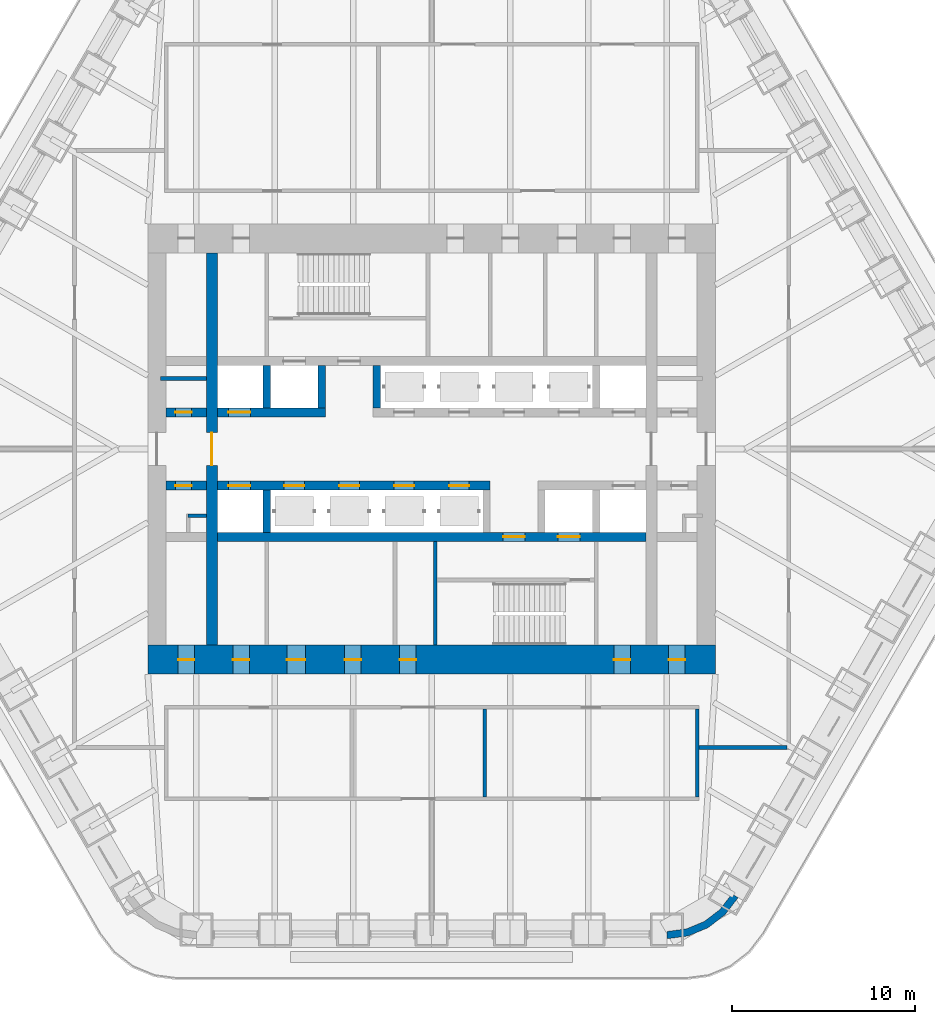
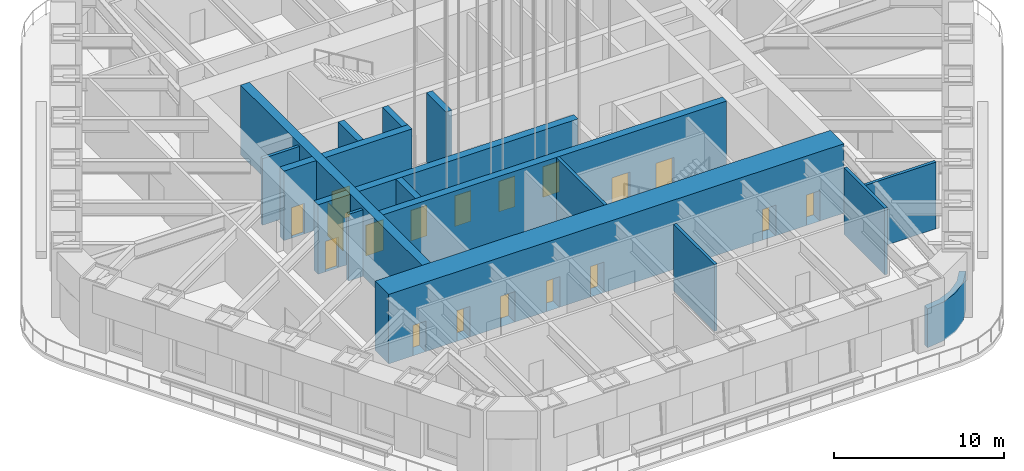
# One storey, part 8 of 14: 18 doors, 18 walls, 18 openings.
"""IFC4 building model written with IfcOpenShell, lengths in metres."""

from ifc_helpers import new_model, si_unit, direction, frame, frame_2d, origin, place, context, subcontext, project, spatial, polyline, rectangle, outline, extrude, material, layer, layer_set, type_object, element, fill, save


model = new_model("IFC4")

# Units and contexts
model_context = context("Model", 3, precision=1e-05, world=origin(), true_north=direction((0.0, 1.0)))
body_context = subcontext(model_context, "Body", "Model", "MODEL_VIEW")
ifc_project = project(units=[si_unit("LENGTHUNIT", "METRE"), si_unit("AREAUNIT", "SQUARE_METRE"), si_unit("VOLUMEUNIT", "CUBIC_METRE"), si_unit("PLANEANGLEUNIT", "RADIAN"), si_unit("MASSUNIT", "GRAM", prefix="KILO")], contexts=[model_context])

# Site, building, storey
site_placement = place(None, origin())
site = spatial("IfcSite", under=ifc_project, at=site_placement, CompositionType="ELEMENT")
building_placement = place(site_placement, origin())
building = spatial("IfcBuilding", under=site, at=building_placement, Name="Tarfa Lantern Tower", CompositionType="ELEMENT")
storey_placement = place(building_placement, frame((0.0, 0.0, 306.5)))
storey = spatial("IfcBuildingStorey", under=building, at=storey_placement, Name="L69", CompositionType="ELEMENT", Elevation=306.5)

# Walls
ifc_material_1 = material(Name="Limestone cladding on blockwork", Category="masonry")
ifc_layer_1 = layer(ifc_material_1, 0.39990234375)
ifc_layer_set_1 = layer_set([ifc_layer_1], Name="EW2 CURVED STONE CORNER 400")
wall_type_1 = type_object("IfcWallType", Name="EW2 CURVED STONE CORNER 400", PredefinedType="SOLIDWALL", material=ifc_layer_set_1)
wall_1_placement = place(storey_placement, origin())
element("IfcWall", 1, at=wall_1_placement, inside=storey, type_object=wall_type_1, Name="Stone corner S-SE", PredefinedType="SOLIDWALL", context=body_context, shape_type="SweptSolid", body=[
    extrude(outline(polyline([(12.845947265625, -26.75), (14.0107421875, -26.5966796875), (15.095947265625, -26.147216796875), (16.028076171875, -25.431884765625), (16.7431640625, -24.5), (16.396728515625, -24.300048828125), (15.7451171875, -25.149169921875), (14.89599609375, -25.80078125), (13.9072265625, -26.210205078125), (12.845947265625, -26.35009765625), (12.845947265625, -26.75)])), origin(), (0.0, 0.0, 1.0), 2.800048828125),
])
ifc_material_2 = material(Name="Concrete blockwork", Category="masonry")
ifc_layer_2 = layer(ifc_material_2, 0.199951171875)
ifc_layer_set_2 = layer_set([ifc_layer_2], Name="IW1 BLOCKWORK PARTITION 200 EI 120")
wall_type_2 = type_object("IfcWallType", Name="IW1 BLOCKWORK PARTITION 200 EI 120", PredefinedType="PARTITIONING", material=ifc_layer_set_2)
wall_2_placement = place(storey_placement, frame((-14.800048828125, 3.85009765625, 0.0), z_axis=(0.0, 0.0, 1.0), x_axis=(1.0, 0.0, 0.0)))
element("IfcWall", 2, at=wall_2_placement, inside=storey, type_object=wall_type_2, Name="Core partition", PredefinedType="PARTITIONING", context=body_context, shape_type="SweptSolid", body=[
    extrude(rectangle(XDim=2.5, YDim=0.199951171875, at=frame_2d((1.25, 0.0))), origin(), (0.0, 0.0, 1.0), 4.800048828125),
])
wall_3_placement = place(storey_placement, frame((-12.300048828125, -3.64990234375, 0.0), z_axis=(0.0, 0.0, 1.0), x_axis=(-1.0, 0.0, 0.0)))
element("IfcWall", 3, at=wall_3_placement, inside=storey, type_object=wall_type_2, Name="Core partition", PredefinedType="PARTITIONING", context=body_context, shape_type="SweptSolid", body=[
    extrude(rectangle(XDim=1.0, YDim=0.199951171875, at=frame_2d((0.5, 0.0))), origin(), (0.0, 0.0, 1.0), 4.800048828125),
])
ifc_material_3 = material(Name="Gypsum board on steel studs", Category="steel")
ifc_layer_3 = layer(ifc_material_3, 0.2099609375)
ifc_layer_set_3 = layer_set([ifc_layer_3], Name="IW2 ACOUSTIC PARTITION 200")
wall_type_3 = type_object("IfcWallType", Name="IW2 ACOUSTIC PARTITION 200", PredefinedType="PARTITIONING", material=ifc_layer_set_3)
for number, where, z_axis, x_axis, name in (
    (4, (14.5, -14.199951171875, 0.0), (0.0, 0.0, 1.0), (0.0, -1.0, 0.0), "Partition"),
    (5, (2.89990234375, -14.199951171875, 0.0), (0.0, 0.0, 1.0), (0.0, -1.0, 0.0), "Partition"),
):
    element("IfcWall", number, at=place(storey_placement, frame(where, z_axis=z_axis, x_axis=x_axis)), inside=storey, type_object=wall_type_3, Name=name, PredefinedType="PARTITIONING", context=body_context, shape_type="SweptSolid", body=[
        extrude(rectangle(XDim=4.800048828125, YDim=0.199951171875, at=frame_2d((2.39990234375, 0.0))), origin(), (0.0, 0.0, 1.0), 4.800048828125),
    ])
wall_4_placement = place(storey_placement, frame((14.60009765625, -16.300048828125, 0.0), z_axis=(0.0, 0.0, 1.0), x_axis=(1.0, 0.0, 0.0)))
element("IfcWall", 6, at=wall_4_placement, inside=storey, type_object=wall_type_3, Name="Partition", PredefinedType="PARTITIONING", context=body_context, shape_type="SweptSolid", body=[
    extrude(rectangle(XDim=4.7998046875, YDim=0.199951171875, at=frame_2d((2.39990234375, 0.0))), origin(), (0.0, 0.0, 1.0), 4.800048828125),
])
ifc_material_4 = material(Name="Concrete C80/95", Category="concrete")
ifc_layer_4 = layer(ifc_material_4, 0.199951171875)
ifc_layer_set_4 = layer_set([ifc_layer_4], Name="SW12 CORE WALL 200")
wall_type_4 = type_object("IfcWallType", Name="SW12 CORE WALL 200", PredefinedType="SHEAR", material=ifc_layer_set_4)
wall_5_placement = place(storey_placement, frame((0.199951171875, -5.050048828125, 0.0), z_axis=(0.0, 0.0, 1.0), x_axis=(0.0, -1.0, 0.0)))
element("IfcWall", 7, at=wall_5_placement, inside=storey, type_object=wall_type_4, Name="Core wall stair shaft S", PredefinedType="SHEAR", context=body_context, shape_type="SweptSolid", body=[
    extrude(rectangle(XDim=5.64990234375, YDim=0.199951171875, at=frame_2d((2.824951171875, 0.0))), origin(), (0.0, 0.0, 1.0), 5.0),
])

# Wall, opening, door
ifc_layer_5 = layer(ifc_material_4, 0.5)
ifc_layer_set_5 = layer_set([ifc_layer_5], Name="SW5 CORE WALL 500")
wall_type_5 = type_object("IfcWallType", Name="SW5 CORE WALL 500", PredefinedType="SHEAR", material=ifc_layer_set_5)
wall_6_placement = place(storey_placement, frame((-14.5, 2.0, 0.0), z_axis=(0.0, 0.0, 1.0), x_axis=(1.0, 0.0, 0.0)))
wall_6 = element("IfcWall", 8, at=wall_6_placement, inside=storey, type_object=wall_type_5, Name="Core wall lobby west N", PredefinedType="SHEAR", context=body_context, shape_type="SweptSolid", body=[
    extrude(rectangle(XDim=2.199951171875, YDim=0.5, at=frame_2d((1.10009765625, 0.0))), origin(), (0.0, 0.0, 1.0), 5.0),
])
opening_1_placement = place(wall_6_placement, frame((0.5, 0.0, 0.0)))
opening_1 = element("IfcOpeningElement", 9, at=opening_1_placement, cuts=wall_6, Name="Opening D15", PredefinedType="OPENING", context=body_context, shape_type="SweptSolid", body=[
    extrude(rectangle(XDim=0.89990234375, YDim=2.199951171875, at=frame_2d((0.449951171875, 1.10009765625))), frame((0.0, 0.260009765625, 0.0), z_axis=(0.0, -1.0, 0.0), x_axis=(1.0, 0.0, 0.0)), (0.0, 0.0, 1.0), 0.52001953125),
])
ifc_material_5 = material(Name="Steel fire door", Category="steel")
door_type_1 = type_object("IfcDoorType", Name="DF6 SERVICE ROOM DOOR 900x2200", OperationType="SINGLE_SWING_LEFT", PredefinedType="DOOR", material=ifc_material_5)
door_1_placement = place(opening_1_placement, origin())
door_1 = element("IfcDoor", 10, at=door_1_placement, inside=storey, type_object=door_type_1, Name="Service room door", OperationType="SINGLE_SWING_RIGHT", OverallHeight=2.199951171875, OverallWidth=0.89990234375, PredefinedType="DOOR", context=body_context, shape_type="SweptSolid", body=[
    extrude(rectangle(XDim=0.89990234375, YDim=2.199951171875, at=frame_2d((0.449951171875, 1.10009765625))), frame((0.0, 0.02490234375, 0.0), z_axis=(0.0, -1.0, 0.0), x_axis=(1.0, 0.0, 0.0)), (0.0, 0.0, 1.0), 0.050048828125),
])
fill(opening_1, door_1)

wall_7_placement = place(storey_placement, frame((-11.699951171875, 2.0, 0.0), z_axis=(0.0, 0.0, 1.0), x_axis=(1.0, 0.0, 0.0)))
wall_7 = element("IfcWall", 11, at=wall_7_placement, inside=storey, type_object=wall_type_5, Name="Core wall lobby west N", PredefinedType="SHEAR", context=body_context, shape_type="SweptSolid", body=[
    extrude(rectangle(XDim=5.89990234375, YDim=0.5, at=frame_2d((2.949951171875, 0.0))), origin(), (0.0, 0.0, 1.0), 5.0),
])
opening_2_placement = place(wall_7_placement, frame((0.60009765625, 0.0, 0.0)))
opening_2 = element("IfcOpeningElement", 12, at=opening_2_placement, cuts=wall_7, Name="Opening LD14", PredefinedType="OPENING", context=body_context, shape_type="SweptSolid", body=[
    extrude(rectangle(XDim=1.199951171875, YDim=2.199951171875, at=frame_2d((0.60009765625, 1.10009765625))), frame((0.0, 0.260009765625, 0.0), z_axis=(0.0, -1.0, 0.0), x_axis=(1.0, 0.0, 0.0)), (0.0, 0.0, 1.0), 0.52001953125),
])
ifc_material_6 = material(Name="Stainless steel lift door", Category="steel")
door_type_2 = type_object("IfcDoorType", Name="LD1 LIFT LANDING DOOR 1200x2200", OperationType="SLIDING_TO_LEFT", PredefinedType="DOOR", material=ifc_material_6)
door_2_placement = place(opening_2_placement, frame((1.199951171875, 0.0, 0.0), z_axis=(0.0, 0.0, 1.0), x_axis=(-1.0, 0.0, 0.0)))
door_2 = element("IfcDoor", 13, at=door_2_placement, inside=storey, type_object=door_type_2, Name="Landing door S9", OperationType="SLIDING_TO_LEFT", OverallHeight=2.199951171875, OverallWidth=1.199951171875, PredefinedType="DOOR", context=body_context, shape_type="SweptSolid", body=[
    extrude(rectangle(XDim=1.199951171875, YDim=2.199951171875, at=frame_2d((0.60009765625, 1.10009765625))), frame((0.0, 0.02490234375, 0.0), z_axis=(0.0, -1.0, 0.0), x_axis=(1.0, 0.0, 0.0)), (0.0, 0.0, 1.0), 0.050048828125),
])
fill(opening_2, door_2)

# Wall, openings, doors
wall_8_placement = place(storey_placement, frame((3.199951171875, -2.0, 0.0), z_axis=(0.0, 0.0, 1.0), x_axis=(-1.0, 0.0, 0.0)))
wall_8 = element("IfcWall", 14, at=wall_8_placement, inside=storey, type_object=wall_type_5, Name="Core wall lobby east S", PredefinedType="SHEAR", context=body_context, shape_type="SweptSolid", body=[
    extrude(rectangle(XDim=14.89990234375, YDim=0.5, at=frame_2d((7.449951171875, 0.0))), origin(), (0.0, 0.0, 1.0), 5.0),
])
opening_3_placement = place(wall_8_placement, frame((1.14990234375, 0.0, 0.0)))
opening_3 = element("IfcOpeningElement", 15, at=opening_3_placement, cuts=wall_8, Name="Opening LD07", PredefinedType="OPENING", context=body_context, shape_type="SweptSolid", body=[
    extrude(rectangle(XDim=1.10009765625, YDim=2.199951171875, at=frame_2d((0.550048828125, 1.10009765625))), frame((0.0, 0.260009765625, 0.0), z_axis=(0.0, -1.0, 0.0), x_axis=(1.0, 0.0, 0.0)), (0.0, 0.0, 1.0), 0.52001953125),
])
opening_4_placement = place(wall_8_placement, frame((4.14990234375, 0.0, 0.0)))
opening_4 = element("IfcOpeningElement", 16, at=opening_4_placement, cuts=wall_8, Name="Opening LD08", PredefinedType="OPENING", context=body_context, shape_type="SweptSolid", body=[
    extrude(rectangle(XDim=1.10009765625, YDim=2.199951171875, at=frame_2d((0.550048828125, 1.10009765625))), frame((0.0, 0.260009765625, 0.0), z_axis=(0.0, -1.0, 0.0), x_axis=(1.0, 0.0, 0.0)), (0.0, 0.0, 1.0), 0.52001953125),
])
opening_5_placement = place(wall_8_placement, frame((7.14990234375, 0.0, 0.0)))
opening_5 = element("IfcOpeningElement", 17, at=opening_5_placement, cuts=wall_8, Name="Opening LD09", PredefinedType="OPENING", context=body_context, shape_type="SweptSolid", body=[
    extrude(rectangle(XDim=1.10009765625, YDim=2.199951171875, at=frame_2d((0.550048828125, 1.10009765625))), frame((0.0, 0.260009765625, 0.0), z_axis=(0.0, -1.0, 0.0), x_axis=(1.0, 0.0, 0.0)), (0.0, 0.0, 1.0), 0.52001953125),
])
opening_6_placement = place(wall_8_placement, frame((10.14990234375, 0.0, 0.0)))
opening_6 = element("IfcOpeningElement", 18, at=opening_6_placement, cuts=wall_8, Name="Opening LD10", PredefinedType="OPENING", context=body_context, shape_type="SweptSolid", body=[
    extrude(rectangle(XDim=1.10009765625, YDim=2.199951171875, at=frame_2d((0.550048828125, 1.10009765625))), frame((0.0, 0.260009765625, 0.0), z_axis=(0.0, -1.0, 0.0), x_axis=(1.0, 0.0, 0.0)), (0.0, 0.0, 1.0), 0.52001953125),
])
opening_7_placement = place(wall_8_placement, frame((13.10009765625, 0.0, 0.0)))
opening_7 = element("IfcOpeningElement", 19, at=opening_7_placement, cuts=wall_8, Name="Opening LD13", PredefinedType="OPENING", context=body_context, shape_type="SweptSolid", body=[
    extrude(rectangle(XDim=1.199951171875, YDim=2.199951171875, at=frame_2d((0.60009765625, 1.10009765625))), frame((0.0, 0.260009765625, 0.0), z_axis=(0.0, -1.0, 0.0), x_axis=(1.0, 0.0, 0.0)), (0.0, 0.0, 1.0), 0.52001953125),
])
door_3_placement = place(opening_7_placement, frame((1.199951171875, 0.0, 0.0), z_axis=(0.0, 0.0, 1.0), x_axis=(-1.0, 0.0, 0.0)))
door_3 = element("IfcDoor", 20, at=door_3_placement, inside=storey, type_object=door_type_2, Name="Landing door S12", OperationType="SLIDING_TO_LEFT", OverallHeight=2.199951171875, OverallWidth=1.199951171875, PredefinedType="DOOR", context=body_context, shape_type="SweptSolid", body=[
    extrude(rectangle(XDim=1.199951171875, YDim=2.199951171875, at=frame_2d((0.60009765625, 1.10009765625))), frame((0.0, 0.02490234375, 0.0), z_axis=(0.0, -1.0, 0.0), x_axis=(1.0, 0.0, 0.0)), (0.0, 0.0, 1.0), 0.050048828125),
])
fill(opening_7, door_3)
door_type_3 = type_object("IfcDoorType", Name="LD2 LIFT LANDING DOOR 1100x2200", OperationType="SLIDING_TO_LEFT", PredefinedType="DOOR", material=ifc_material_6)
door_4_placement = place(opening_3_placement, frame((1.10009765625, 0.0, 0.0), z_axis=(0.0, 0.0, 1.0), x_axis=(-1.0, 0.0, 0.0)))
door_4 = element("IfcDoor", 21, at=door_4_placement, inside=storey, type_object=door_type_3, Name="Landing door PD5", OperationType="SLIDING_TO_LEFT", OverallHeight=2.199951171875, OverallWidth=1.10009765625, PredefinedType="DOOR", context=body_context, shape_type="SweptSolid", body=[
    extrude(rectangle(XDim=1.10009765625, YDim=2.199951171875, at=frame_2d((0.550048828125, 1.10009765625))), frame((0.0, 0.02490234375, 0.0), z_axis=(0.0, -1.0, 0.0), x_axis=(1.0, 0.0, 0.0)), (0.0, 0.0, 1.0), 0.050048828125),
])
fill(opening_3, door_4)
door_5_placement = place(opening_4_placement, frame((1.10009765625, 0.0, 0.0), z_axis=(0.0, 0.0, 1.0), x_axis=(-1.0, 0.0, 0.0)))
door_5 = element("IfcDoor", 22, at=door_5_placement, inside=storey, type_object=door_type_3, Name="Landing door PD6", OperationType="SLIDING_TO_LEFT", OverallHeight=2.199951171875, OverallWidth=1.10009765625, PredefinedType="DOOR", context=body_context, shape_type="SweptSolid", body=[
    extrude(rectangle(XDim=1.10009765625, YDim=2.199951171875, at=frame_2d((0.550048828125, 1.10009765625))), frame((0.0, 0.02490234375, 0.0), z_axis=(0.0, -1.0, 0.0), x_axis=(1.0, 0.0, 0.0)), (0.0, 0.0, 1.0), 0.050048828125),
])
fill(opening_4, door_5)
door_6_placement = place(opening_5_placement, frame((1.10009765625, 0.0, 0.0), z_axis=(0.0, 0.0, 1.0), x_axis=(-1.0, 0.0, 0.0)))
door_6 = element("IfcDoor", 23, at=door_6_placement, inside=storey, type_object=door_type_3, Name="Landing door PD7", OperationType="SLIDING_TO_LEFT", OverallHeight=2.199951171875, OverallWidth=1.10009765625, PredefinedType="DOOR", context=body_context, shape_type="SweptSolid", body=[
    extrude(rectangle(XDim=1.10009765625, YDim=2.199951171875, at=frame_2d((0.550048828125, 1.10009765625))), frame((0.0, 0.02490234375, 0.0), z_axis=(0.0, -1.0, 0.0), x_axis=(1.0, 0.0, 0.0)), (0.0, 0.0, 1.0), 0.050048828125),
])
fill(opening_5, door_6)
door_7_placement = place(opening_6_placement, frame((1.10009765625, 0.0, 0.0), z_axis=(0.0, 0.0, 1.0), x_axis=(-1.0, 0.0, 0.0)))
door_7 = element("IfcDoor", 24, at=door_7_placement, inside=storey, type_object=door_type_3, Name="Landing door PD8", OperationType="SLIDING_TO_LEFT", OverallHeight=2.199951171875, OverallWidth=1.10009765625, PredefinedType="DOOR", context=body_context, shape_type="SweptSolid", body=[
    extrude(rectangle(XDim=1.10009765625, YDim=2.199951171875, at=frame_2d((0.550048828125, 1.10009765625))), frame((0.0, 0.02490234375, 0.0), z_axis=(0.0, -1.0, 0.0), x_axis=(1.0, 0.0, 0.0)), (0.0, 0.0, 1.0), 0.050048828125),
])
fill(opening_6, door_7)

# Wall, opening, door
wall_9_placement = place(storey_placement, frame((-12.300048828125, -2.0, 0.0), z_axis=(0.0, 0.0, 1.0), x_axis=(-1.0, 0.0, 0.0)))
wall_9 = element("IfcWall", 25, at=wall_9_placement, inside=storey, type_object=wall_type_5, Name="Core wall lobby east S", PredefinedType="SHEAR", context=body_context, shape_type="SweptSolid", body=[
    extrude(rectangle(XDim=2.199951171875, YDim=0.5, at=frame_2d((1.10009765625, 0.0))), origin(), (0.0, 0.0, 1.0), 5.0),
])
opening_8_placement = place(wall_9_placement, frame((0.800048828125, 0.0, 0.0)))
opening_8 = element("IfcOpeningElement", 26, at=opening_8_placement, cuts=wall_9, Name="Opening D14", PredefinedType="OPENING", context=body_context, shape_type="SweptSolid", body=[
    extrude(rectangle(XDim=0.89990234375, YDim=2.199951171875, at=frame_2d((0.449951171875, 1.10009765625))), frame((0.0, 0.260009765625, 0.0), z_axis=(0.0, -1.0, 0.0), x_axis=(1.0, 0.0, 0.0)), (0.0, 0.0, 1.0), 0.52001953125),
])
door_8_placement = place(opening_8_placement, origin())
door_8 = element("IfcDoor", 27, at=door_8_placement, inside=storey, type_object=door_type_1, Name="Service room door", OperationType="SINGLE_SWING_LEFT", OverallHeight=2.199951171875, OverallWidth=0.89990234375, PredefinedType="DOOR", context=body_context, shape_type="SweptSolid", body=[
    extrude(rectangle(XDim=0.89990234375, YDim=2.199951171875, at=frame_2d((0.449951171875, 1.10009765625))), frame((0.0, 0.02490234375, 0.0), z_axis=(0.0, -1.0, 0.0), x_axis=(1.0, 0.0, 0.0)), (0.0, 0.0, 1.0), 0.050048828125),
])
fill(opening_8, door_8)

# Wall, openings, doors
wall_10_placement = place(storey_placement, frame((11.699951171875, -4.800048828125, 0.0), z_axis=(0.0, 0.0, 1.0), x_axis=(-1.0, 0.0, 0.0)))
wall_10 = element("IfcWall", 28, at=wall_10_placement, inside=storey, type_object=wall_type_5, Name="Core wall rear S", PredefinedType="SHEAR", context=body_context, shape_type="SweptSolid", body=[
    extrude(rectangle(XDim=23.39990234375, YDim=0.5, at=frame_2d((11.699951171875, 0.0))), origin(), (0.0, 0.0, 1.0), 5.0),
])
opening_9_placement = place(wall_10_placement, frame((6.60009765625, 0.0, 0.0)))
opening_9 = element("IfcOpeningElement", 29, at=opening_9_placement, cuts=wall_10, Name="Opening D10", PredefinedType="OPENING", context=body_context, shape_type="SweptSolid", body=[
    extrude(rectangle(XDim=1.199951171875, YDim=2.199951171875, at=frame_2d((0.60009765625, 1.10009765625))), frame((0.0, 0.260009765625, 0.0), z_axis=(0.0, -1.0, 0.0), x_axis=(1.0, 0.0, 0.0)), (0.0, 0.0, 1.0), 0.52001953125),
])
opening_10_placement = place(wall_10_placement, frame((3.60009765625, 0.0, 0.0)))
opening_10 = element("IfcOpeningElement", 30, at=opening_10_placement, cuts=wall_10, Name="Opening LD02", PredefinedType="OPENING", context=body_context, shape_type="SweptSolid", body=[
    extrude(rectangle(XDim=1.199951171875, YDim=2.199951171875, at=frame_2d((0.60009765625, 1.10009765625))), frame((0.0, 0.260009765625, 0.0), z_axis=(0.0, -1.0, 0.0), x_axis=(1.0, 0.0, 0.0)), (0.0, 0.0, 1.0), 0.52001953125),
])
door_type_4 = type_object("IfcDoorType", Name="DF1 FIREFIGHTING LOBBY DOOR 1200x2200", OperationType="SINGLE_SWING_LEFT", PredefinedType="DOOR", material=ifc_material_5)
door_9_placement = place(opening_9_placement, origin())
door_9 = element("IfcDoor", 31, at=door_9_placement, inside=storey, type_object=door_type_4, Name="Firefighting lobby door", OperationType="SINGLE_SWING_LEFT", OverallHeight=2.199951171875, OverallWidth=1.199951171875, PredefinedType="DOOR", context=body_context, shape_type="SweptSolid", body=[
    extrude(rectangle(XDim=1.199951171875, YDim=2.199951171875, at=frame_2d((0.60009765625, 1.10009765625))), frame((0.0, 0.02490234375, 0.0), z_axis=(0.0, -1.0, 0.0), x_axis=(1.0, 0.0, 0.0)), (0.0, 0.0, 1.0), 0.050048828125),
])
fill(opening_9, door_9)
door_10_placement = place(opening_10_placement, origin())
door_10 = element("IfcDoor", 32, at=door_10_placement, inside=storey, type_object=door_type_2, Name="Landing door FL2", OperationType="SLIDING_TO_LEFT", OverallHeight=2.199951171875, OverallWidth=1.199951171875, PredefinedType="DOOR", context=body_context, shape_type="SweptSolid", body=[
    extrude(rectangle(XDim=1.199951171875, YDim=2.199951171875, at=frame_2d((0.60009765625, 1.10009765625))), frame((0.0, 0.02490234375, 0.0), z_axis=(0.0, -1.0, 0.0), x_axis=(1.0, 0.0, 0.0)), (0.0, 0.0, 1.0), 0.050048828125),
])
fill(opening_10, door_10)

# Walls
ifc_layer_6 = layer(ifc_material_4, 0.39990234375)
ifc_layer_set_6 = layer_set([ifc_layer_6], Name="SW6 CORE WALL 400")
wall_type_6 = type_object("IfcWallType", Name="SW6 CORE WALL 400", PredefinedType="SHEAR", material=ifc_layer_set_6)
for number, where, z_axis, x_axis, name in (
    (33, (-9.0, 2.25, 0.0), (0.0, 0.0, 1.0), (0.0, 1.0, 0.0), "Core wall divider N"),
    (34, (-6.0, 2.25, 0.0), (0.0, 0.0, 1.0), (0.0, 1.0, 0.0), "Core wall divider N"),
    (35, (-3.0, 2.25, 0.0), (0.0, 0.0, 1.0), (0.0, 1.0, 0.0), "Core wall divider N"),
    (36, (-9.0, -2.25, 0.0), (0.0, 0.0, 1.0), (0.0, -1.0, 0.0), "Core wall divider S"),
):
    element("IfcWall", number, at=place(storey_placement, frame(where, z_axis=z_axis, x_axis=x_axis)), inside=storey, type_object=wall_type_6, Name=name, PredefinedType="SHEAR", context=body_context, shape_type="SweptSolid", body=[
        extrude(rectangle(XDim=2.300048828125, YDim=0.39990234375, at=frame_2d((1.14990234375, 0.0))), origin(), (0.0, 0.0, 1.0), 5.0),
    ])

# Wall, openings, doors
ifc_layer_7 = layer(ifc_material_4, 1.60009765625)
ifc_layer_set_7 = layer_set([ifc_layer_7], Name="SW7 CORE WALL 1600")
wall_type_7 = type_object("IfcWallType", Name="SW7 CORE WALL 1600", PredefinedType="SHEAR", material=ifc_layer_set_7)
wall_11_placement = place(storey_placement, frame((15.5, -11.5, 0.0), z_axis=(0.0, 0.0, 1.0), x_axis=(-1.0, 0.0, 0.0)))
wall_11 = element("IfcWall", 37, at=wall_11_placement, inside=storey, type_object=wall_type_7, Name="Core wall S", PredefinedType="SHEAR", context=body_context, shape_type="SweptSolid", body=[
    extrude(rectangle(XDim=31.0, YDim=1.60009765625, at=frame_2d((15.5, 0.0))), origin(), (0.0, 0.0, 1.0), 5.0),
])
opening_11_placement = place(wall_11_placement, frame((16.35009765625, 0.0, 0.0)))
opening_11 = element("IfcOpeningElement", 38, at=opening_11_placement, cuts=wall_11, Name="Opening D18", PredefinedType="OPENING", context=body_context, shape_type="SweptSolid", body=[
    extrude(rectangle(XDim=0.89990234375, YDim=2.199951171875, at=frame_2d((0.449951171875, 1.10009765625))), frame((0.0, 0.81005859375, 0.0), z_axis=(0.0, -1.0, 0.0), x_axis=(1.0, 0.0, 0.0)), (0.0, 0.0, 1.0), 1.6201171875),
])
opening_12_placement = place(wall_11_placement, frame((19.35009765625, 0.0, 0.0)))
opening_12 = element("IfcOpeningElement", 39, at=opening_12_placement, cuts=wall_11, Name="Opening D20", PredefinedType="OPENING", context=body_context, shape_type="SweptSolid", body=[
    extrude(rectangle(XDim=0.89990234375, YDim=2.199951171875, at=frame_2d((0.449951171875, 1.10009765625))), frame((0.0, 0.81005859375, 0.0), z_axis=(0.0, -1.0, 0.0), x_axis=(1.0, 0.0, 0.0)), (0.0, 0.0, 1.0), 1.6201171875),
])
opening_13_placement = place(wall_11_placement, frame((22.39990234375, 0.0, 0.0)))
opening_13 = element("IfcOpeningElement", 40, at=opening_13_placement, cuts=wall_11, Name="Opening D22", PredefinedType="OPENING", context=body_context, shape_type="SweptSolid", body=[
    extrude(rectangle(XDim=1.0, YDim=2.199951171875, at=frame_2d((0.5, 1.10009765625))), frame((0.0, 0.81005859375, 0.0), z_axis=(0.0, -1.0, 0.0), x_axis=(1.0, 0.0, 0.0)), (0.0, 0.0, 1.0), 1.6201171875),
])
opening_14_placement = place(wall_11_placement, frame((1.64990234375, 0.0, 0.0)))
opening_14 = element("IfcOpeningElement", 41, at=opening_14_placement, cuts=wall_11, Name="Opening D08", PredefinedType="OPENING", context=body_context, shape_type="SweptSolid", body=[
    extrude(rectangle(XDim=0.89990234375, YDim=2.199951171875, at=frame_2d((0.449951171875, 1.10009765625))), frame((0.0, 0.81005859375, 0.0), z_axis=(0.0, -1.0, 0.0), x_axis=(1.0, 0.0, 0.0)), (0.0, 0.0, 1.0), 1.6201171875),
])
opening_15_placement = place(wall_11_placement, frame((4.64990234375, 0.0, 0.0)))
opening_15 = element("IfcOpeningElement", 42, at=opening_15_placement, cuts=wall_11, Name="Opening D06", PredefinedType="OPENING", context=body_context, shape_type="SweptSolid", body=[
    extrude(rectangle(XDim=0.89990234375, YDim=2.199951171875, at=frame_2d((0.449951171875, 1.10009765625))), frame((0.0, 0.81005859375, 0.0), z_axis=(0.0, -1.0, 0.0), x_axis=(1.0, 0.0, 0.0)), (0.0, 0.0, 1.0), 1.6201171875),
])
opening_16_placement = place(wall_11_placement, frame((25.449951171875, 0.0, 0.0)))
opening_16 = element("IfcOpeningElement", 43, at=opening_16_placement, cuts=wall_11, Name="Opening D04", PredefinedType="OPENING", context=body_context, shape_type="SweptSolid", body=[
    extrude(rectangle(XDim=0.89990234375, YDim=2.199951171875, at=frame_2d((0.449951171875, 1.10009765625))), frame((0.0, 0.81005859375, 0.0), z_axis=(0.0, -1.0, 0.0), x_axis=(1.0, 0.0, 0.0)), (0.0, 0.0, 1.0), 1.6201171875),
])
opening_17_placement = place(wall_11_placement, frame((28.449951171875, 0.0, 0.0)))
opening_17 = element("IfcOpeningElement", 44, at=opening_17_placement, cuts=wall_11, Name="Opening D02", PredefinedType="OPENING", context=body_context, shape_type="SweptSolid", body=[
    extrude(rectangle(XDim=0.89990234375, YDim=2.199951171875, at=frame_2d((0.449951171875, 1.10009765625))), frame((0.0, 0.81005859375, 0.0), z_axis=(0.0, -1.0, 0.0), x_axis=(1.0, 0.0, 0.0)), (0.0, 0.0, 1.0), 1.6201171875),
])
door_type_5 = type_object("IfcDoorType", Name="DF3 CORE ROOM DOOR 900x2200", OperationType="SINGLE_SWING_LEFT", PredefinedType="DOOR", material=ifc_material_5)
door_11_placement = place(opening_11_placement, frame((0.89990234375, 0.0, 0.0), z_axis=(0.0, 0.0, 1.0), x_axis=(-1.0, 0.0, 0.0)))
door_11 = element("IfcDoor", 45, at=door_11_placement, inside=storey, type_object=door_type_5, Name="Core door", OperationType="SINGLE_SWING_RIGHT", OverallHeight=2.199951171875, OverallWidth=0.89990234375, PredefinedType="DOOR", context=body_context, shape_type="SweptSolid", body=[
    extrude(rectangle(XDim=0.89990234375, YDim=2.199951171875, at=frame_2d((0.449951171875, 1.10009765625))), frame((0.0, 0.02490234375, 0.0), z_axis=(0.0, -1.0, 0.0), x_axis=(1.0, 0.0, 0.0)), (0.0, 0.0, 1.0), 0.050048828125),
])
fill(opening_11, door_11)
door_12_placement = place(opening_12_placement, frame((0.89990234375, 0.0, 0.0), z_axis=(0.0, 0.0, 1.0), x_axis=(-1.0, 0.0, 0.0)))
door_12 = element("IfcDoor", 46, at=door_12_placement, inside=storey, type_object=door_type_5, Name="Core door", OperationType="SINGLE_SWING_LEFT", OverallHeight=2.199951171875, OverallWidth=0.89990234375, PredefinedType="DOOR", context=body_context, shape_type="SweptSolid", body=[
    extrude(rectangle(XDim=0.89990234375, YDim=2.199951171875, at=frame_2d((0.449951171875, 1.10009765625))), frame((0.0, 0.02490234375, 0.0), z_axis=(0.0, -1.0, 0.0), x_axis=(1.0, 0.0, 0.0)), (0.0, 0.0, 1.0), 0.050048828125),
])
fill(opening_12, door_12)
door_type_6 = type_object("IfcDoorType", Name="DF4 CORE ROOM DOOR 1000x2200", OperationType="SINGLE_SWING_LEFT", PredefinedType="DOOR", material=ifc_material_5)
door_13_placement = place(opening_13_placement, frame((1.0, 0.0, 0.0), z_axis=(0.0, 0.0, 1.0), x_axis=(-1.0, 0.0, 0.0)))
door_13 = element("IfcDoor", 47, at=door_13_placement, inside=storey, type_object=door_type_6, Name="Core door", OperationType="SINGLE_SWING_RIGHT", OverallHeight=2.199951171875, OverallWidth=1.0, PredefinedType="DOOR", context=body_context, shape_type="SweptSolid", body=[
    extrude(rectangle(XDim=1.0, YDim=2.199951171875, at=frame_2d((0.5, 1.10009765625))), frame((0.0, 0.02490234375, 0.0), z_axis=(0.0, -1.0, 0.0), x_axis=(1.0, 0.0, 0.0)), (0.0, 0.0, 1.0), 0.050048828125),
])
fill(opening_13, door_13)
door_type_7 = type_object("IfcDoorType", Name="DF5 RISER DOOR 900x2200", OperationType="SINGLE_SWING_LEFT", PredefinedType="DOOR", material=ifc_material_5)
door_14_placement = place(opening_14_placement, frame((0.89990234375, 0.0, 0.0), z_axis=(0.0, 0.0, 1.0), x_axis=(-1.0, 0.0, 0.0)))
door_14 = element("IfcDoor", 48, at=door_14_placement, inside=storey, type_object=door_type_7, Name="Riser door", OperationType="SINGLE_SWING_LEFT", OverallHeight=2.199951171875, OverallWidth=0.89990234375, PredefinedType="DOOR", context=body_context, shape_type="SweptSolid", body=[
    extrude(rectangle(XDim=0.89990234375, YDim=2.199951171875, at=frame_2d((0.449951171875, 1.10009765625))), frame((0.0, 0.02490234375, 0.0), z_axis=(0.0, -1.0, 0.0), x_axis=(1.0, 0.0, 0.0)), (0.0, 0.0, 1.0), 0.050048828125),
])
fill(opening_14, door_14)
door_15_placement = place(opening_15_placement, frame((0.89990234375, 0.0, 0.0), z_axis=(0.0, 0.0, 1.0), x_axis=(-1.0, 0.0, 0.0)))
door_15 = element("IfcDoor", 49, at=door_15_placement, inside=storey, type_object=door_type_7, Name="Riser door", OperationType="SINGLE_SWING_LEFT", OverallHeight=2.199951171875, OverallWidth=0.89990234375, PredefinedType="DOOR", context=body_context, shape_type="SweptSolid", body=[
    extrude(rectangle(XDim=0.89990234375, YDim=2.199951171875, at=frame_2d((0.449951171875, 1.10009765625))), frame((0.0, 0.02490234375, 0.0), z_axis=(0.0, -1.0, 0.0), x_axis=(1.0, 0.0, 0.0)), (0.0, 0.0, 1.0), 0.050048828125),
])
fill(opening_15, door_15)
door_16_placement = place(opening_16_placement, frame((0.89990234375, 0.0, 0.0), z_axis=(0.0, 0.0, 1.0), x_axis=(-1.0, 0.0, 0.0)))
door_16 = element("IfcDoor", 50, at=door_16_placement, inside=storey, type_object=door_type_7, Name="Riser door", OperationType="SINGLE_SWING_RIGHT", OverallHeight=2.199951171875, OverallWidth=0.89990234375, PredefinedType="DOOR", context=body_context, shape_type="SweptSolid", body=[
    extrude(rectangle(XDim=0.89990234375, YDim=2.199951171875, at=frame_2d((0.449951171875, 1.10009765625))), frame((0.0, 0.02490234375, 0.0), z_axis=(0.0, -1.0, 0.0), x_axis=(1.0, 0.0, 0.0)), (0.0, 0.0, 1.0), 0.050048828125),
])
fill(opening_16, door_16)
door_17_placement = place(opening_17_placement, frame((0.89990234375, 0.0, 0.0), z_axis=(0.0, 0.0, 1.0), x_axis=(-1.0, 0.0, 0.0)))
door_17 = element("IfcDoor", 51, at=door_17_placement, inside=storey, type_object=door_type_7, Name="Riser door", OperationType="SINGLE_SWING_RIGHT", OverallHeight=2.199951171875, OverallWidth=0.89990234375, PredefinedType="DOOR", context=body_context, shape_type="SweptSolid", body=[
    extrude(rectangle(XDim=0.89990234375, YDim=2.199951171875, at=frame_2d((0.449951171875, 1.10009765625))), frame((0.0, 0.02490234375, 0.0), z_axis=(0.0, -1.0, 0.0), x_axis=(1.0, 0.0, 0.0)), (0.0, 0.0, 1.0), 0.050048828125),
])
fill(opening_17, door_17)

# Wall, opening, door
ifc_layer_8 = layer(ifc_material_4, 0.60009765625)
ifc_layer_set_8 = layer_set([ifc_layer_8], Name="SW9 CORE WALL 600")
wall_type_8 = type_object("IfcWallType", Name="SW9 CORE WALL 600", PredefinedType="SHEAR", material=ifc_layer_set_8)
wall_12_placement = place(storey_placement, frame((-12.0, -10.699951171875, 0.0), z_axis=(0.0, 0.0, 1.0), x_axis=(0.0, 1.0, 0.0)))
wall_12 = element("IfcWall", 52, at=wall_12_placement, inside=storey, type_object=wall_type_8, Name="Core wall cross 12 m west", PredefinedType="SHEAR", context=body_context, shape_type="SweptSolid", body=[
    extrude(rectangle(XDim=21.39990234375, YDim=0.60009765625, at=frame_2d((10.699951171875, 0.0))), origin(), (0.0, 0.0, 1.0), 5.0),
])
opening_18_placement = place(wall_12_placement, frame((9.800048828125, 0.0, 0.0)))
opening_18 = element("IfcOpeningElement", 53, at=opening_18_placement, cuts=wall_12, Name="Opening D26", PredefinedType="OPENING", context=body_context, shape_type="SweptSolid", body=[
    extrude(rectangle(XDim=1.800048828125, YDim=2.39990234375, at=frame_2d((0.89990234375, 1.199951171875))), frame((0.0, 0.31005859375, 0.0), z_axis=(0.0, -1.0, 0.0), x_axis=(1.0, 0.0, 0.0)), (0.0, 0.0, 1.0), 0.6201171875),
])
door_type_8 = type_object("IfcDoorType", Name="DL1 LOBBY DOOR 1800x2400", OperationType="DOUBLE_DOOR_SINGLE_SWING", PredefinedType="DOOR", material=ifc_material_5)
door_18_placement = place(opening_18_placement, origin())
door_18 = element("IfcDoor", 54, at=door_18_placement, inside=storey, type_object=door_type_8, Name="Lift lobby door", OperationType="DOUBLE_DOOR_SINGLE_SWING", OverallHeight=2.39990234375, OverallWidth=1.800048828125, PredefinedType="DOOR", context=body_context, shape_type="SweptSolid", body=[
    extrude(rectangle(XDim=1.800048828125, YDim=2.39990234375, at=frame_2d((0.89990234375, 1.199951171875))), frame((0.0, 0.02490234375, 0.0), z_axis=(0.0, -1.0, 0.0), x_axis=(1.0, 0.0, 0.0)), (0.0, 0.0, 1.0), 0.050048828125),
])
fill(opening_18, door_18)

save(model, "model.ifc")
